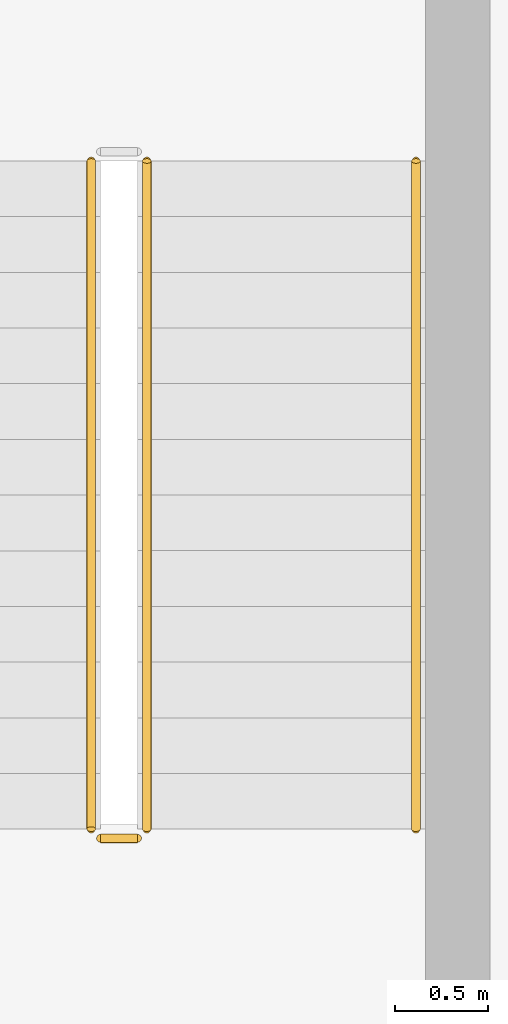
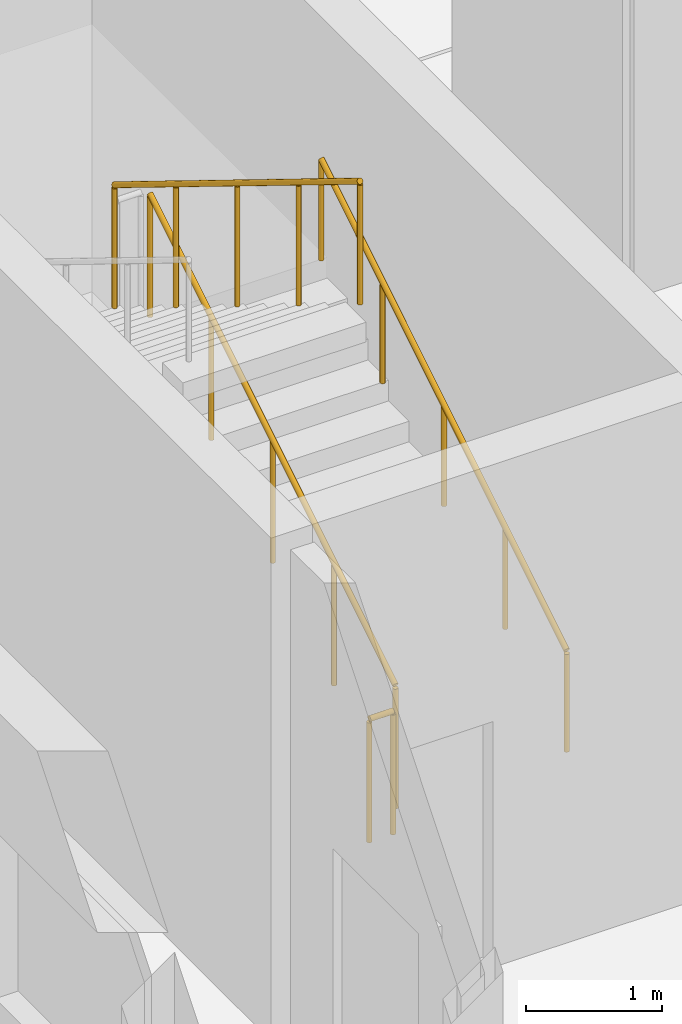
# One storey, part 65 of 75: 4 railings.
"""IFC4 building model written with IfcOpenShell, lengths in metres."""

from ifc_helpers import new_model, si_unit, direction, frame, origin, origin_2d, place, context, subcontext, project, spatial, circle, extrude, material, type_object, element, save


model = new_model("IFC4")

# Units and contexts
model_context = context("Model", 3, precision=1e-05, world=origin(), true_north=direction((0.0, 1.0)))
body_context = subcontext(model_context, "Body", "Model", "MODEL_VIEW")
ifc_project = project(units=[si_unit("LENGTHUNIT", "METRE"), si_unit("AREAUNIT", "SQUARE_METRE"), si_unit("VOLUMEUNIT", "CUBIC_METRE"), si_unit("PLANEANGLEUNIT", "RADIAN"), si_unit("MASSUNIT", "GRAM", prefix="KILO")], contexts=[model_context])

# Site, building, storey
site_placement = place(None, origin())
site = spatial("IfcSite", under=ifc_project, at=site_placement, CompositionType="ELEMENT")
building_placement = place(site_placement, origin())
building = spatial("IfcBuilding", under=site, at=building_placement, Name="Soyqirgoq Riverine Aquarium", CompositionType="ELEMENT")
storey_placement = place(building_placement, frame((0.0, 0.0, 10.199951171875)))
storey = spatial("IfcBuildingStorey", under=building, at=storey_placement, Name="L03", CompositionType="ELEMENT", Elevation=10.199951171875)

# Railings
ifc_material_1 = material(Name="Brushed stainless steel 316L tubular handrail", Category="steel")
railing_type_1 = type_object("IfcRailingType", Name="StairPitchHandrail_920", PredefinedType="HANDRAIL", material=ifc_material_1)
railing_1_placement = place(storey_placement, frame((127.75, 62.050048828125, 0.1845703125)))
element("IfcRailing", 1, at=railing_1_placement, inside=storey, type_object=railing_type_1, Name="L03 ST-8 stair handrail 1", PredefinedType="HANDRAIL", context=body_context, shape_type="SweptSolid", body=[
    extrude(circle(Radius=0.02392578125, at=origin_2d()), frame((0.0, 0.0, 0.89990234375), z_axis=(0.0, 0.851628569182, 0.524145762315), x_axis=(-1.0, 0.0, 0.0)), (0.0, 0.0, 1.0), 4.22705078125),
    extrude(circle(Radius=0.02099609375, at=origin_2d()), origin(), (0.0, 0.0, 1.0), 0.875732421875),
    extrude(circle(Radius=0.02099609375, at=origin_2d()), frame((0.0, 0.89990234375, 0.553955078125)), (0.0, 0.0, 1.0), 0.875732421875),
    extrude(circle(Radius=0.02099609375, at=origin_2d()), frame((0.0, 1.7998046875, 1.10791015625)), (0.0, 0.0, 1.0), 0.875732421875),
    extrude(circle(Radius=0.02099609375, at=origin_2d()), frame((0.0, 2.699951171875, 1.66162109375)), (0.0, 0.0, 1.0), 0.875732421875),
    extrude(circle(Radius=0.02099609375, at=origin_2d()), frame((0.0, 3.599853515625, 2.215576171875)), (0.0, 0.0, 1.0), 0.875732421875),
])
ifc_material_2 = material(Name="Painted steel infill stair-well guardrail", Category="steel")
railing_type_2 = type_object("IfcRailingType", Name="StairWellGuard_1120", PredefinedType="GUARDRAIL", material=ifc_material_2)
railing_2_placement = place(storey_placement, frame((126.300048828125, 62.050048828125, 0.1845703125)))
element("IfcRailing", 2, at=railing_2_placement, inside=storey, type_object=railing_type_2, Name="L03 ST-8 stair guard 1", PredefinedType="GUARDRAIL", context=body_context, shape_type="SweptSolid", body=[
    extrude(circle(Radius=0.02392578125, at=origin_2d()), frame((0.0, 0.0, 1.09619140625), z_axis=(0.0, 0.851628569182, 0.524145762315), x_axis=(-1.0, 0.0, 0.0)), (0.0, 0.0, 1.0), 4.22705078125),
    extrude(circle(Radius=0.02099609375, at=origin_2d()), origin(), (0.0, 0.0, 1.0), 1.072021484375),
    extrude(circle(Radius=0.02099609375, at=origin_2d()), frame((0.0, 0.89990234375, 0.553955078125)), (0.0, 0.0, 1.0), 1.072021484375),
    extrude(circle(Radius=0.02099609375, at=origin_2d()), frame((0.0, 1.7998046875, 1.10791015625)), (0.0, 0.0, 1.0), 1.072021484375),
    extrude(circle(Radius=0.02099609375, at=origin_2d()), frame((0.0, 2.699951171875, 1.66162109375)), (0.0, 0.0, 1.0), 1.072021484375),
    extrude(circle(Radius=0.02099609375, at=origin_2d()), frame((0.0, 3.599853515625, 2.215576171875)), (0.0, 0.0, 1.0), 1.072021484375),
])
railing_3_placement = place(storey_placement, frame((126.0, 65.64990234375, 2.584716796875)))
element("IfcRailing", 3, at=railing_3_placement, inside=storey, type_object=railing_type_2, Name="L03 ST-8 stair guard 3", PredefinedType="GUARDRAIL", context=body_context, shape_type="SweptSolid", body=[
    extrude(circle(Radius=0.02392578125, at=origin_2d()), frame((0.0, 0.0, 1.09619140625), z_axis=(0.0, -0.851654350407, 0.524103870844), x_axis=(1.0, 0.0, 0.0)), (0.0, 0.0, 1.0), 4.226806640625),
    extrude(circle(Radius=0.02099609375, at=origin_2d()), origin(), (0.0, 0.0, 1.0), 1.072021484375),
    extrude(circle(Radius=0.02099609375, at=origin_2d()), frame((0.0, -0.89990234375, 0.5537109375)), (0.0, 0.0, 1.0), 1.072021484375),
    extrude(circle(Radius=0.02099609375, at=origin_2d()), frame((0.0, -1.7998046875, 1.107666015625)), (0.0, 0.0, 1.0), 1.072021484375),
    extrude(circle(Radius=0.02099609375, at=origin_2d()), frame((0.0, -2.699951171875, 1.66162109375)), (0.0, 0.0, 1.0), 1.072021484375),
    extrude(circle(Radius=0.02099609375, at=origin_2d()), frame((0.0, -3.599853515625, 2.21533203125)), (0.0, 0.0, 1.0), 1.072021484375),
])
railing_4_placement = place(storey_placement, frame((126.25, 62.0, 0.0)))
element("IfcRailing", 4, at=railing_4_placement, inside=storey, type_object=railing_type_2, Name="L03 ST-8 stair guard 4", PredefinedType="GUARDRAIL", context=body_context, shape_type="SweptSolid", body=[
    extrude(circle(Radius=0.02392578125, at=origin_2d()), frame((0.0, 0.0, 1.09619140625), z_axis=(-1.0, 0.0, 0.0), x_axis=(0.0, -1.0, 0.0)), (0.0, 0.0, 1.0), 0.199951171875),
    extrude(circle(Radius=0.02099609375, at=origin_2d()), origin(), (0.0, 0.0, 1.0), 1.072021484375),
    extrude(circle(Radius=0.02099609375, at=origin_2d()), frame((-0.199951171875, 0.0, 0.0)), (0.0, 0.0, 1.0), 1.072021484375),
])

save(model, "model.ifc")
